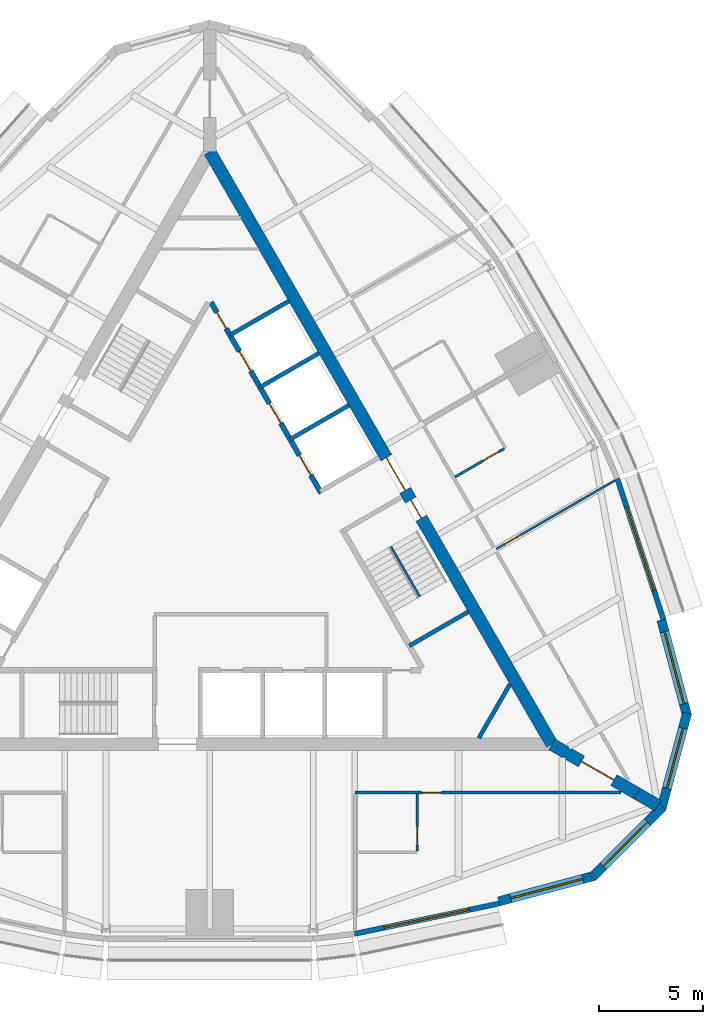
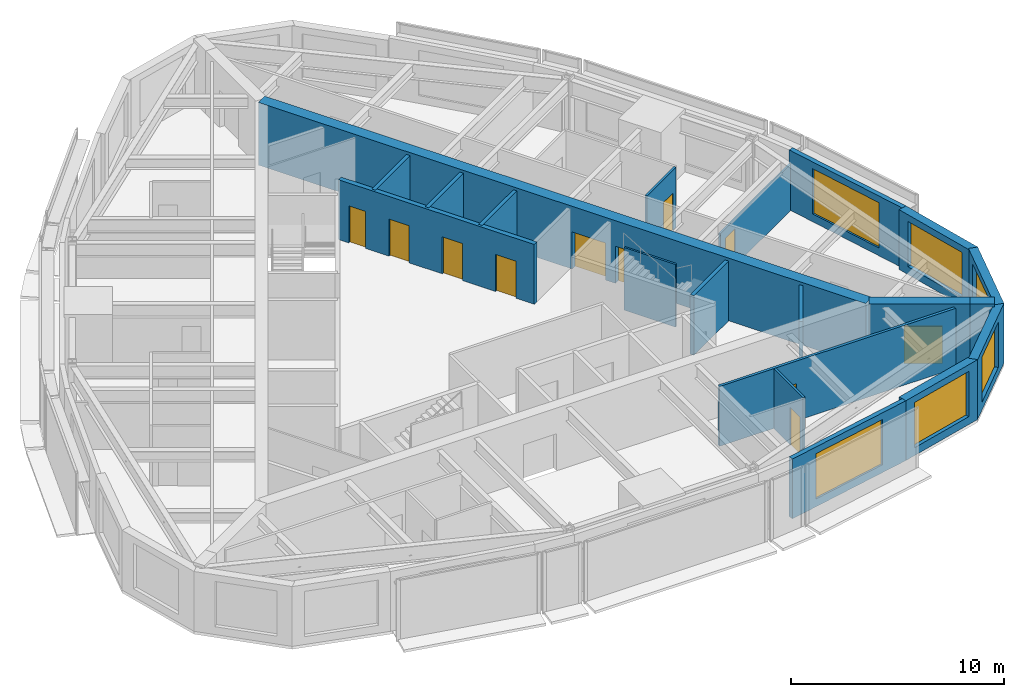
# One storey, part 9 of 12: 20 walls, 11 doors, 6 windows, 17 openings.
"""IFC4 building model written with IfcOpenShell, lengths in metres."""

from ifc_helpers import new_model, si_unit, direction, frame, frame_2d, origin, place, context, subcontext, project, spatial, polyline, rectangle, outline, extrude, material, layer, layer_set, type_object, element, fill, save


model = new_model("IFC4")

# Units and contexts
model_context = context("Model", 3, precision=1e-05, world=origin(), true_north=direction((0.0, 1.0)))
body_context = subcontext(model_context, "Body", "Model", "MODEL_VIEW")
ifc_project = project(units=[si_unit("LENGTHUNIT", "METRE"), si_unit("AREAUNIT", "SQUARE_METRE"), si_unit("VOLUMEUNIT", "CUBIC_METRE"), si_unit("PLANEANGLEUNIT", "RADIAN"), si_unit("MASSUNIT", "GRAM", prefix="KILO")], contexts=[model_context])

# Site, building, storey
site_placement = place(None, origin())
site = spatial("IfcSite", under=ifc_project, at=site_placement, CompositionType="ELEMENT")
building_placement = place(site_placement, origin())
building = spatial("IfcBuilding", under=site, at=building_placement, Name="Trikona Tower", CompositionType="ELEMENT")
storey_placement = place(building_placement, frame((0.0, 0.0, 253.699951171875)))
storey = spatial("IfcBuildingStorey", under=building, at=storey_placement, Name="L67", CompositionType="ELEMENT", Elevation=253.699951171875)

# Wall, opening, door
ifc_material_1 = material(Name="Metal stud and cement board", Category="gypsum")
ifc_layer_1 = layer(ifc_material_1, 0.1201171875)
ifc_layer_set_1 = layer_set([ifc_layer_1], Name="Bathroom wall 120")
wall_type_1 = type_object("IfcWallType", Name="Bathroom wall 120", PredefinedType="PLUMBINGWALL", material=ifc_layer_set_1)
wall_1_placement = place(storey_placement, frame((10.0, -11.92626953125, 0.0), z_axis=(0.0, 0.0, 1.0), x_axis=(0.0, -1.0, 0.0)))
wall_1 = element("IfcWall", 1, at=wall_1_placement, inside=storey, type_object=wall_type_1, Name="Bathroom wall 6702", PredefinedType="PLUMBINGWALL", context=body_context, shape_type="SweptSolid", body=[
    extrude(rectangle(XDim=2.739990234375, YDim=0.1201171875, at=frame_2d((1.3701171875, 0.0))), origin(), (0.0, 0.0, 1.0), 3.43505859375),
])
opening_1_placement = place(wall_1_placement, frame((1.550048828125, 0.0, 0.0)))
opening_1 = element("IfcOpeningElement", 2, at=opening_1_placement, cuts=wall_1, Name="Opening D2", PredefinedType="OPENING", context=body_context, shape_type="SweptSolid", body=[
    extrude(rectangle(XDim=0.89990234375, YDim=2.1298828125, at=frame_2d((0.449951171875, 1.06494140625))), frame((0.0, 0.070068359375, 0.0), z_axis=(0.0, -1.0, 0.0), x_axis=(1.0, 0.0, 0.0)), (0.0, 0.0, 1.0), 0.14013671875),
])
ifc_material_2 = material(Name="Steel door frame with solid-core timber leaf", Category="steel")
door_type_1 = type_object("IfcDoorType", Name="Bathroom door 900x2130", OperationType="SLIDING_TO_LEFT", PredefinedType="DOOR", material=ifc_material_2)
door_1_placement = place(opening_1_placement, origin())
door_1 = element("IfcDoor", 3, at=door_1_placement, inside=storey, type_object=door_type_1, Name="Bathroom door 6702", OperationType="SLIDING_TO_LEFT", OverallHeight=2.1298828125, OverallWidth=0.89990234375, PredefinedType="DOOR", context=body_context, shape_type="SweptSolid", body=[
    extrude(rectangle(XDim=0.89990234375, YDim=2.1298828125, at=frame_2d((0.449951171875, 1.06494140625))), frame((0.0, 0.02490234375, 0.0), z_axis=(0.0, -1.0, 0.0), x_axis=(1.0, 0.0, 0.0)), (0.0, 0.0, 1.0), 0.050048828125),
])
fill(opening_1, door_1)

wall_2_placement = place(storey_placement, frame((11.82861328125, 3.364990234375, 0.0), z_axis=(0.0, 0.0, 1.0), x_axis=(0.865997131366, 0.500048966069, 0.0)))
wall_2 = element("IfcWall", 4, at=wall_2_placement, inside=storey, type_object=wall_type_1, Name="Bathroom wall 6703.1", PredefinedType="PLUMBINGWALL", context=body_context, shape_type="SweptSolid", body=[
    extrude(rectangle(XDim=2.739990234375, YDim=0.1201171875, at=frame_2d((1.3701171875, 0.0))), origin(), (0.0, 0.0, 1.0), 3.43505859375),
])
opening_2_placement = place(wall_2_placement, frame((1.550048828125, 0.0, 0.0)))
opening_2 = element("IfcOpeningElement", 5, at=opening_2_placement, cuts=wall_2, Name="Opening D2", PredefinedType="OPENING", context=body_context, shape_type="SweptSolid", body=[
    extrude(rectangle(XDim=0.89990234375, YDim=2.1298828125, at=frame_2d((0.449951171875, 1.06494140625))), frame((0.0, 0.070068359375, 0.0), z_axis=(0.0, -1.0, 0.0), x_axis=(1.0, 0.0, 0.0)), (0.0, 0.0, 1.0), 0.14013671875),
])
door_2_placement = place(opening_2_placement, origin())
door_2 = element("IfcDoor", 6, at=door_2_placement, inside=storey, type_object=door_type_1, Name="Bathroom door 6703.1", OperationType="SLIDING_TO_LEFT", OverallHeight=2.1298828125, OverallWidth=0.89990234375, PredefinedType="DOOR", context=body_context, shape_type="SweptSolid", body=[
    extrude(rectangle(XDim=0.89990234375, YDim=2.1298828125, at=frame_2d((0.449951171875, 1.06494140625))), frame((0.0, 0.02490234375, 0.0), z_axis=(0.0, -1.0, 0.0), x_axis=(1.0, 0.0, 0.0)), (0.0, 0.0, 1.0), 0.050048828125),
])
fill(opening_2, door_2)

# Wall, opening, window
ifc_material_3 = material(Name="Brick-faced precast concrete", Category="masonry")
ifc_layer_2 = layer(ifc_material_3, 0.449951171875)
ifc_layer_set_2 = layer_set([ifc_layer_2], Name="Brick-faced corner wall 450")
wall_type_2 = type_object("IfcWallType", Name="Brick-faced corner wall 450", PredefinedType="SOLIDWALL", material=ifc_layer_set_2)
wall_3_placement = place(storey_placement, frame((13.94189453125, -17.103271484375, 0.0), z_axis=(0.0, 0.0, 1.0), x_axis=(0.965913862671, 0.258863689806, 0.0)))
wall_3 = element("IfcWall", 7, at=wall_3_placement, inside=storey, type_object=wall_type_2, Name="External wall L67-05", PredefinedType="SOLIDWALL", context=body_context, shape_type="SweptSolid", body=[
    extrude(rectangle(XDim=4.78173828125, YDim=0.449951171875, at=frame_2d((2.390869140625, 0.0))), origin(), (0.0, 0.0, 1.0), 3.43505859375),
])
opening_3_placement = place(wall_3_placement, frame((0.5908203125, 0.0, 0.449951171875)))
opening_3 = element("IfcOpeningElement", 8, at=opening_3_placement, cuts=wall_3, Name="Opening W3626", PredefinedType="OPENING", context=body_context, shape_type="SweptSolid", body=[
    extrude(rectangle(XDim=3.60009765625, YDim=2.60009765625, at=frame_2d((1.800048828125, 1.300048828125))), frame((0.0, 0.23486328125, 0.0), z_axis=(0.0, -1.0, 0.0), x_axis=(1.0, 0.0, 0.0)), (0.0, 0.0, 1.0), 0.469970703125),
])
ifc_material_4 = material(Name="Aluminium-framed double glazing", Category="aluminium")
window_type_1 = type_object("IfcWindowType", Name="Window 3600x2600", PartitioningType="SINGLE_PANEL", PredefinedType="WINDOW", material=ifc_material_4)
window_1_placement = place(opening_3_placement, origin())
window_1 = element("IfcWindow", 9, at=window_1_placement, inside=storey, type_object=window_type_1, Name="Window 6702", OverallHeight=2.60009765625, OverallWidth=3.60009765625, PartitioningType="SINGLE_PANEL", PredefinedType="WINDOW", context=body_context, shape_type="SweptSolid", body=[
    extrude(rectangle(XDim=3.60009765625, YDim=2.60009765625, at=frame_2d((1.800048828125, 1.300048828125))), frame((0.0, 0.030029296875, 0.0), z_axis=(0.0, -1.0, 0.0), x_axis=(1.0, 0.0, 0.0)), (0.0, 0.0, 1.0), 0.06005859375),
])
fill(opening_3, window_1)

wall_4_placement = place(storey_placement, frame((18.459716796875, -15.923828125, 0.0), z_axis=(0.0, 0.0, 1.0), x_axis=(0.707081252484, 0.707132308968, 0.0)))
wall_4 = element("IfcWall", 10, at=wall_4_placement, inside=storey, type_object=wall_type_2, Name="External wall L67-06", PredefinedType="SOLIDWALL", context=body_context, shape_type="SweptSolid", body=[
    extrude(outline(polyline([(4.78173828125, 0.22509765625), (4.722900390625, 0.22509765625), (4.37548828125, 0.1318359375), (4.3505859375, 0.22509765625), (0.0, 0.22509765625), (0.0, -0.22509765625), (4.78173828125, -0.22509765625), (4.78173828125, 0.22509765625)])), origin(), (0.0, 0.0, 1.0), 3.43505859375),
])
opening_4_placement = place(wall_4_placement, frame((0.750244140625, 0.0, 0.449951171875)))
opening_4 = element("IfcOpeningElement", 11, at=opening_4_placement, cuts=wall_4, Name="Opening W3026", PredefinedType="OPENING", context=body_context, shape_type="SweptSolid", body=[
    extrude(rectangle(XDim=3.0, YDim=2.60009765625, at=frame_2d((1.5, 1.300048828125))), frame((0.0, 0.23486328125, 0.0), z_axis=(0.0, -1.0, 0.0), x_axis=(1.0, 0.0, 0.0)), (0.0, 0.0, 1.0), 0.469970703125),
])
ifc_material_5 = material(Name="Aluminium-framed double glazing", Category="aluminium")
window_type_2 = type_object("IfcWindowType", Name="Window 3000x2600", PartitioningType="SINGLE_PANEL", PredefinedType="WINDOW", material=ifc_material_5)
window_2_placement = place(opening_4_placement, origin())
window_2 = element("IfcWindow", 12, at=window_2_placement, inside=storey, type_object=window_type_2, Name="Window 6702", OverallHeight=2.60009765625, OverallWidth=3.0, PartitioningType="SINGLE_PANEL", PredefinedType="WINDOW", context=body_context, shape_type="SweptSolid", body=[
    extrude(rectangle(XDim=3.0, YDim=2.60009765625, at=frame_2d((1.5, 1.300048828125))), frame((0.0, 0.030029296875, 0.0), z_axis=(0.0, -1.0, 0.0), x_axis=(1.0, 0.0, 0.0)), (0.0, 0.0, 1.0), 0.06005859375),
])
fill(opening_4, window_2)

wall_5_placement = place(storey_placement, frame((21.78271484375, -12.6435546875, 0.0), z_axis=(0.0, 0.0, 1.0), x_axis=(0.25880328844, 0.965930048136, 0.0)))
wall_5 = element("IfcWall", 13, at=wall_5_placement, inside=storey, type_object=wall_type_2, Name="External wall L67-07", PredefinedType="SOLIDWALL", context=body_context, shape_type="SweptSolid", body=[
    extrude(outline(polyline([(4.78173828125, 0.22509765625), (0.43115234375, 0.22509765625), (0.40625, 0.132080078125), (0.0595703125, 0.22509765625), (0.0, 0.22509765625), (0.0, -0.22509765625), (4.78173828125, -0.22509765625), (4.78173828125, 0.22509765625)])), origin(), (0.0, 0.0, 1.0), 3.43505859375),
])
opening_5_placement = place(wall_5_placement, frame((1.031494140625, 0.0, 0.449951171875)))
opening_5 = element("IfcOpeningElement", 14, at=opening_5_placement, cuts=wall_5, Name="Opening W3026", PredefinedType="OPENING", context=body_context, shape_type="SweptSolid", body=[
    extrude(rectangle(XDim=3.0, YDim=2.60009765625, at=frame_2d((1.5, 1.300048828125))), frame((0.0, 0.23486328125, 0.0), z_axis=(0.0, -1.0, 0.0), x_axis=(1.0, 0.0, 0.0)), (0.0, 0.0, 1.0), 0.469970703125),
])
window_3_placement = place(opening_5_placement, origin())
window_3 = element("IfcWindow", 15, at=window_3_placement, inside=storey, type_object=window_type_2, Name="Window 6703", OverallHeight=2.60009765625, OverallWidth=3.0, PartitioningType="SINGLE_PANEL", PredefinedType="WINDOW", context=body_context, shape_type="SweptSolid", body=[
    extrude(rectangle(XDim=3.0, YDim=2.60009765625, at=frame_2d((1.5, 1.300048828125))), frame((0.0, 0.030029296875, 0.0), z_axis=(0.0, -1.0, 0.0), x_axis=(1.0, 0.0, 0.0)), (0.0, 0.0, 1.0), 0.06005859375),
])
fill(opening_5, window_3)

wall_6_placement = place(storey_placement, frame((23.020263671875, -8.14111328125, 0.0), z_axis=(0.0, 0.0, 1.0), x_axis=(-0.25880328844, 0.965930048136, 0.0)))
wall_6 = element("IfcWall", 16, at=wall_6_placement, inside=storey, type_object=wall_type_2, Name="External wall L67-08", PredefinedType="SOLIDWALL", context=body_context, shape_type="SweptSolid", body=[
    extrude(rectangle(XDim=4.78173828125, YDim=0.449951171875, at=frame_2d((2.390869140625, 0.0))), origin(), (0.0, 0.0, 1.0), 3.43505859375),
])
opening_6_placement = place(wall_6_placement, frame((0.5908203125, 0.0, 0.449951171875)))
opening_6 = element("IfcOpeningElement", 17, at=opening_6_placement, cuts=wall_6, Name="Opening W3626", PredefinedType="OPENING", context=body_context, shape_type="SweptSolid", body=[
    extrude(rectangle(XDim=3.60009765625, YDim=2.60009765625, at=frame_2d((1.800048828125, 1.300048828125))), frame((0.0, 0.23486328125, 0.0), z_axis=(0.0, -1.0, 0.0), x_axis=(1.0, 0.0, 0.0)), (0.0, 0.0, 1.0), 0.469970703125),
])
window_4_placement = place(opening_6_placement, origin())
window_4 = element("IfcWindow", 18, at=window_4_placement, inside=storey, type_object=window_type_1, Name="Window 6703", OverallHeight=2.60009765625, OverallWidth=3.60009765625, PartitioningType="SINGLE_PANEL", PredefinedType="WINDOW", context=body_context, shape_type="SweptSolid", body=[
    extrude(rectangle(XDim=3.60009765625, YDim=2.60009765625, at=frame_2d((1.800048828125, 1.300048828125))), frame((0.0, 0.030029296875, 0.0), z_axis=(0.0, -1.0, 0.0), x_axis=(1.0, 0.0, 0.0)), (0.0, 0.0, 1.0), 0.06005859375),
])
fill(opening_6, window_4)

# Wall, opening, door
ifc_material_6 = material(Name="Concrete f'c 10000 psi", Category="concrete")
ifc_layer_3 = layer(ifc_material_6, 0.60009765625)
ifc_layer_set_3 = layer_set([ifc_layer_3], Name="Buttress wall 600")
wall_type_3 = type_object("IfcWallType", Name="Buttress wall 600", PredefinedType="SHEAR", material=ifc_layer_set_3)
wall_7_placement = place(storey_placement, frame((16.5, -9.5263671875, 0.0), z_axis=(0.0, 0.0, 1.0), x_axis=(0.866031398331, -0.499989616998, 0.0)))
wall_7 = element("IfcWall", 19, at=wall_7_placement, inside=storey, type_object=wall_type_3, Name="Buttress wall 1", PredefinedType="SHEAR", context=body_context, shape_type="SweptSolid", body=[
    extrude(rectangle(XDim=4.74609375, YDim=0.60009765625, at=frame_2d((2.373046875, 0.0))), origin(), (0.0, 0.0, 1.0), 3.60009765625),
])
opening_7_placement = place(wall_7_placement, frame((1.64990234375, 0.0, 0.0)))
opening_7 = element("IfcOpeningElement", 20, at=opening_7_placement, cuts=wall_7, Name="Opening D10", PredefinedType="OPENING", context=body_context, shape_type="SweptSolid", body=[
    extrude(rectangle(XDim=1.800048828125, YDim=2.1298828125, at=frame_2d((0.89990234375, 1.06494140625))), frame((0.0, 0.31005859375, 0.0), z_axis=(0.0, -1.0, 0.0), x_axis=(1.0, 0.0, 0.0)), (0.0, 0.0, 1.0), 0.6201171875),
])
ifc_material_7 = material(Name="Hollow metal door and frame", Category="steel")
door_type_2 = type_object("IfcDoorType", Name="Cross-corridor door pair 1800x2130", OperationType="DOUBLE_DOOR_DOUBLE_SWING", PredefinedType="DOOR", material=ifc_material_7)
door_3_placement = place(opening_7_placement, origin())
door_3 = element("IfcDoor", 21, at=door_3_placement, inside=storey, type_object=door_type_2, Name="Cross-corridor door 1", OperationType="DOUBLE_DOOR_DOUBLE_SWING", OverallHeight=2.1298828125, OverallWidth=1.800048828125, PredefinedType="DOOR", context=body_context, shape_type="SweptSolid", body=[
    extrude(rectangle(XDim=1.800048828125, YDim=2.1298828125, at=frame_2d((0.89990234375, 1.06494140625))), frame((0.0, 0.02490234375, 0.0), z_axis=(0.0, -1.0, 0.0), x_axis=(1.0, 0.0, 0.0)), (0.0, 0.0, 1.0), 0.050048828125),
])
fill(opening_7, door_3)

# Wall
wall_8_placement = place(storey_placement, frame((20.6103515625, -11.8994140625, 0.0), z_axis=(0.0, 0.0, 1.0), x_axis=(0.866009537788, -0.500027479704, 0.0)))
element("IfcWall", 22, at=wall_8_placement, inside=storey, type_object=wall_type_3, Name="Buttress wall 1 part 2", PredefinedType="SHEAR", context=body_context, shape_type="SweptSolid", body=[
    extrude(rectangle(XDim=1.15478515625, YDim=0.60009765625, at=frame_2d((0.577392578125, 0.0))), origin(), (0.0, 0.0, 1.0), 3.60009765625),
])

# Wall, openings, doors
ifc_material_8 = material(Name="Concrete f'c 10000 psi", Category="concrete")
ifc_layer_4 = layer(ifc_material_8, 0.60009765625)
ifc_layer_set_4 = layer_set([ifc_layer_4], Name="Core wall 600")
wall_type_4 = type_object("IfcWallType", Name="Core wall 600", PredefinedType="SHEAR", material=ifc_layer_set_4)
wall_9_placement = place(storey_placement, frame((16.5, -9.5263671875, 0.0), z_axis=(0.0, 0.0, 1.0), x_axis=(-0.499999749417, 0.866025548458, 0.0)))
wall_9 = element("IfcWall", 23, at=wall_9_placement, inside=storey, type_object=wall_type_4, Name="Core wall B", PredefinedType="SHEAR", context=body_context, shape_type="SweptSolid", body=[
    extrude(rectangle(XDim=33.0, YDim=0.60009765625, at=frame_2d((16.5, 0.0))), origin(), (0.0, 0.0, 1.0), 3.60009765625),
])
opening_8_placement = place(wall_9_placement, frame((14.14990234375, 0.0, 0.0)))
opening_8 = element("IfcOpeningElement", 24, at=opening_8_placement, cuts=wall_9, Name="Opening D6", PredefinedType="OPENING", context=body_context, shape_type="SweptSolid", body=[
    extrude(rectangle(XDim=1.800048828125, YDim=2.1298828125, at=frame_2d((0.89990234375, 1.06494140625))), frame((0.0, 0.31005859375, 0.0), z_axis=(0.0, -1.0, 0.0), x_axis=(1.0, 0.0, 0.0)), (0.0, 0.0, 1.0), 0.6201171875),
])
opening_9_placement = place(wall_9_placement, frame((12.60009765625, 0.0, 0.0)))
opening_9 = element("IfcOpeningElement", 25, at=opening_9_placement, cuts=wall_9, Name="Opening D5", PredefinedType="OPENING", context=body_context, shape_type="SweptSolid", body=[
    extrude(rectangle(XDim=1.0, YDim=2.1298828125, at=frame_2d((0.5, 1.06494140625))), frame((0.0, 0.31005859375, 0.0), z_axis=(0.0, -1.0, 0.0), x_axis=(1.0, 0.0, 0.0)), (0.0, 0.0, 1.0), 0.6201171875),
])
ifc_material_9 = material(Name="Hollow metal door and frame", Category="steel")
door_type_3 = type_object("IfcDoorType", Name="Lobby door pair 1800x2130", OperationType="DOUBLE_DOOR_SINGLE_SWING", PredefinedType="DOOR", material=ifc_material_9)
door_4_placement = place(opening_8_placement, origin())
door_4 = element("IfcDoor", 26, at=door_4_placement, inside=storey, type_object=door_type_3, Name="Lift lobby door B", OperationType="DOUBLE_DOOR_SINGLE_SWING", OverallHeight=2.1298828125, OverallWidth=1.800048828125, PredefinedType="DOOR", context=body_context, shape_type="SweptSolid", body=[
    extrude(rectangle(XDim=1.800048828125, YDim=2.1298828125, at=frame_2d((0.89990234375, 1.06494140625))), frame((0.0, 0.02490234375, 0.0), z_axis=(0.0, -1.0, 0.0), x_axis=(1.0, 0.0, 0.0)), (0.0, 0.0, 1.0), 0.050048828125),
])
fill(opening_8, door_4)
ifc_material_10 = material(Name="Hollow metal door and frame", Category="steel")
door_type_4 = type_object("IfcDoorType", Name="Stair door 1000x2130", OperationType="SINGLE_SWING_LEFT", PredefinedType="DOOR", material=ifc_material_10)
door_5_placement = place(opening_9_placement, origin())
door_5 = element("IfcDoor", 27, at=door_5_placement, inside=storey, type_object=door_type_4, Name="Stair B door", OperationType="SINGLE_SWING_RIGHT", OverallHeight=2.1298828125, OverallWidth=1.0, PredefinedType="DOOR", context=body_context, shape_type="SweptSolid", body=[
    extrude(rectangle(XDim=1.0, YDim=2.1298828125, at=frame_2d((0.5, 1.06494140625))), frame((0.0, 0.02490234375, 0.0), z_axis=(0.0, -1.0, 0.0), x_axis=(1.0, 0.0, 0.0)), (0.0, 0.0, 1.0), 0.050048828125),
])
fill(opening_9, door_5)

# Wall, opening, door
ifc_material_11 = material(Name="Metal stud and gypsum board, 1-hour", Category="gypsum")
ifc_layer_5 = layer(ifc_material_11, 0.14990234375)
ifc_layer_set_5 = layer_set([ifc_layer_5], Name="Corridor wall 150")
wall_type_5 = type_object("IfcWallType", Name="Corridor wall 150", PredefinedType="PARTITIONING", material=ifc_layer_set_5)
wall_10_placement = place(storey_placement, frame((7.0, -11.851318359375, 0.0), z_axis=(0.0, 0.0, 1.0), x_axis=(1.0, 0.0, 0.0)))
wall_10 = element("IfcWall", 28, at=wall_10_placement, inside=storey, type_object=wall_type_5, Name="Corridor wall L67-1B", PredefinedType="PARTITIONING", context=body_context, shape_type="SweptSolid", body=[
    extrude(rectangle(XDim=12.826904296875, YDim=0.14990234375, at=frame_2d((6.41357421875, 0.0))), origin(), (0.0, 0.0, 1.0), 3.43505859375),
])
opening_10_placement = place(wall_10_placement, frame((3.22509765625, 0.0, 0.0)))
opening_10 = element("IfcOpeningElement", 29, at=opening_10_placement, cuts=wall_10, Name="Opening D1", PredefinedType="OPENING", context=body_context, shape_type="SweptSolid", body=[
    extrude(rectangle(XDim=0.949951171875, YDim=2.1298828125, at=frame_2d((0.47509765625, 1.06494140625))), frame((0.0, 0.0849609375, 0.0), z_axis=(0.0, -1.0, 0.0), x_axis=(1.0, 0.0, 0.0)), (0.0, 0.0, 1.0), 0.169921875),
])
ifc_material_12 = material(Name="Steel door frame with solid-core timber leaf", Category="steel")
door_type_5 = type_object("IfcDoorType", Name="Guest room door 950x2130", OperationType="SINGLE_SWING_LEFT", PredefinedType="DOOR", material=ifc_material_12)
door_6_placement = place(opening_10_placement, origin())
door_6 = element("IfcDoor", 30, at=door_6_placement, inside=storey, type_object=door_type_5, Name="Room door 6702", OperationType="SINGLE_SWING_LEFT", OverallHeight=2.1298828125, OverallWidth=0.949951171875, PredefinedType="DOOR", context=body_context, shape_type="SweptSolid", body=[
    extrude(rectangle(XDim=0.949951171875, YDim=2.1298828125, at=frame_2d((0.47509765625, 1.06494140625))), frame((0.0, 0.02490234375, 0.0), z_axis=(0.0, -1.0, 0.0), x_axis=(1.0, 0.0, 0.0)), (0.0, 0.0, 1.0), 0.050048828125),
])
fill(opening_10, door_6)

# Wall, openings, doors
ifc_material_13 = material(Name="Concrete f'c 8000 psi", Category="concrete")
ifc_layer_6 = layer(ifc_material_13, 0.25)
ifc_layer_set_6 = layer_set([ifc_layer_6], Name="Hub wall 250")
wall_type_6 = type_object("IfcWallType", Name="Hub wall 250", PredefinedType="SOLIDWALL", material=ifc_layer_set_6)
wall_11_placement = place(storey_placement, frame((5.37890625, 2.5859375, 0.0), z_axis=(0.0, 0.0, 1.0), x_axis=(-0.500001375892, 0.866024609411, 0.0)))
wall_11 = element("IfcWall", 31, at=wall_11_placement, inside=storey, type_object=wall_type_6, Name="Lift lobby wall B2", PredefinedType="SOLIDWALL", context=body_context, shape_type="SweptSolid", body=[
    extrude(rectangle(XDim=10.6328125, YDim=0.25, at=frame_2d((5.31640625, 0.0))), origin(), (0.0, 0.0, 1.0), 3.43505859375),
])
opening_11_placement = place(wall_11_placement, frame((9.1640625, 0.0, 0.0)))
opening_11 = element("IfcOpeningElement", 32, at=opening_11_placement, cuts=wall_11, Name="Opening D14", PredefinedType="OPENING", context=body_context, shape_type="SweptSolid", body=[
    extrude(rectangle(XDim=0.89990234375, YDim=2.1298828125, at=frame_2d((0.449951171875, 1.06494140625))), frame((0.0, 0.135009765625, 0.0), z_axis=(0.0, -1.0, 0.0), x_axis=(1.0, 0.0, 0.0)), (0.0, 0.0, 1.0), 0.27001953125),
])
opening_12_placement = place(wall_11_placement, frame((1.0, 0.0, 0.0)))
opening_12 = element("IfcOpeningElement", 33, at=opening_12_placement, cuts=wall_11, Name="Opening LD", PredefinedType="OPENING", context=body_context, shape_type="SweptSolid", body=[
    extrude(rectangle(XDim=1.10009765625, YDim=2.1298828125, at=frame_2d((0.550048828125, 1.06494140625))), frame((0.0, 0.135009765625, 0.0), z_axis=(0.0, -1.0, 0.0), x_axis=(1.0, 0.0, 0.0)), (0.0, 0.0, 1.0), 0.27001953125),
])
opening_13_placement = place(wall_11_placement, frame((3.89990234375, 0.0, 0.0)))
opening_13 = element("IfcOpeningElement", 34, at=opening_13_placement, cuts=wall_11, Name="Opening LD", PredefinedType="OPENING", context=body_context, shape_type="SweptSolid", body=[
    extrude(rectangle(XDim=1.10009765625, YDim=2.1298828125, at=frame_2d((0.550048828125, 1.06494140625))), frame((0.0, 0.135009765625, 0.0), z_axis=(0.0, -1.0, 0.0), x_axis=(1.0, 0.0, 0.0)), (0.0, 0.0, 1.0), 0.27001953125),
])
opening_14_placement = place(wall_11_placement, frame((6.800048828125, 0.0, 0.0)))
opening_14 = element("IfcOpeningElement", 35, at=opening_14_placement, cuts=wall_11, Name="Opening LD", PredefinedType="OPENING", context=body_context, shape_type="SweptSolid", body=[
    extrude(rectangle(XDim=1.10009765625, YDim=2.1298828125, at=frame_2d((0.550048828125, 1.06494140625))), frame((0.0, 0.135009765625, 0.0), z_axis=(0.0, -1.0, 0.0), x_axis=(1.0, 0.0, 0.0)), (0.0, 0.0, 1.0), 0.27001953125),
])
ifc_material_14 = material(Name="Stainless steel lift landing door", Category="steel")
door_type_6 = type_object("IfcDoorType", Name="Lift landing door 1100x2130", OperationType="DOUBLE_DOOR_SLIDING", PredefinedType="USERDEFINED", material=ifc_material_14)
door_7_placement = place(opening_12_placement, origin())
door_7 = element("IfcDoor", 36, at=door_7_placement, inside=storey, type_object=door_type_6, Name="Lift landing door L3-1", ObjectType="LIFT LANDING DOOR", OperationType="DOUBLE_DOOR_SLIDING", OverallHeight=2.1298828125, OverallWidth=1.10009765625, PredefinedType="USERDEFINED", context=body_context, shape_type="SweptSolid", body=[
    extrude(rectangle(XDim=1.10009765625, YDim=2.1298828125, at=frame_2d((0.550048828125, 1.06494140625))), frame((0.0, 0.02490234375, 0.0), z_axis=(0.0, -1.0, 0.0), x_axis=(1.0, 0.0, 0.0)), (0.0, 0.0, 1.0), 0.050048828125),
])
fill(opening_12, door_7)
door_8_placement = place(opening_13_placement, origin())
door_8 = element("IfcDoor", 37, at=door_8_placement, inside=storey, type_object=door_type_6, Name="Lift landing door L3-2", ObjectType="LIFT LANDING DOOR", OperationType="DOUBLE_DOOR_SLIDING", OverallHeight=2.1298828125, OverallWidth=1.10009765625, PredefinedType="USERDEFINED", context=body_context, shape_type="SweptSolid", body=[
    extrude(rectangle(XDim=1.10009765625, YDim=2.1298828125, at=frame_2d((0.550048828125, 1.06494140625))), frame((0.0, 0.02490234375, 0.0), z_axis=(0.0, -1.0, 0.0), x_axis=(1.0, 0.0, 0.0)), (0.0, 0.0, 1.0), 0.050048828125),
])
fill(opening_13, door_8)
door_9_placement = place(opening_14_placement, origin())
door_9 = element("IfcDoor", 38, at=door_9_placement, inside=storey, type_object=door_type_6, Name="Lift landing door L3-3", ObjectType="LIFT LANDING DOOR", OperationType="DOUBLE_DOOR_SLIDING", OverallHeight=2.1298828125, OverallWidth=1.10009765625, PredefinedType="USERDEFINED", context=body_context, shape_type="SweptSolid", body=[
    extrude(rectangle(XDim=1.10009765625, YDim=2.1298828125, at=frame_2d((0.550048828125, 1.06494140625))), frame((0.0, 0.02490234375, 0.0), z_axis=(0.0, -1.0, 0.0), x_axis=(1.0, 0.0, 0.0)), (0.0, 0.0, 1.0), 0.050048828125),
])
fill(opening_14, door_9)
ifc_material_15 = material(Name="Hollow metal door and frame", Category="steel")
door_type_7 = type_object("IfcDoorType", Name="Service room door 900x2130", OperationType="SINGLE_SWING_LEFT", PredefinedType="DOOR", material=ifc_material_15)
door_10_placement = place(opening_11_placement, origin())
door_10 = element("IfcDoor", 39, at=door_10_placement, inside=storey, type_object=door_type_7, Name="Door Linen store LIN", OperationType="SINGLE_SWING_RIGHT", OverallHeight=2.1298828125, OverallWidth=0.89990234375, PredefinedType="DOOR", context=body_context, shape_type="SweptSolid", body=[
    extrude(rectangle(XDim=0.89990234375, YDim=2.1298828125, at=frame_2d((0.449951171875, 1.06494140625))), frame((0.0, 0.02490234375, 0.0), z_axis=(0.0, -1.0, 0.0), x_axis=(1.0, 0.0, 0.0)), (0.0, 0.0, 1.0), 0.050048828125),
])
fill(opening_11, door_10)

# Wall, opening, window
ifc_material_16 = material(Name="Insulated precast concrete spandrel panel", Category="concrete")
ifc_layer_7 = layer(ifc_material_16, 0.25)
ifc_layer_set_7 = layer_set([ifc_layer_7], Name="Inner skin wall 250")
wall_type_7 = type_object("IfcWallType", Name="Inner skin wall 250", PredefinedType="STANDARD", material=ifc_layer_set_7)
wall_12_placement = place(storey_placement, frame((6.974365234375, -18.668212890625, 0.0), z_axis=(0.0, 0.0, 1.0), x_axis=(0.978654320409, 0.205513311355, 0.0)))
wall_12 = element("IfcWall", 40, at=wall_12_placement, inside=storey, type_object=wall_type_7, Name="External wall L67-04", PredefinedType="STANDARD", context=body_context, shape_type="SweptSolid", body=[
    extrude(rectangle(XDim=7.152587890625, YDim=0.25, at=frame_2d((3.576171875, 0.0))), origin(), (0.0, 0.0, 1.0), 3.43505859375),
])
opening_15_placement = place(wall_12_placement, frame((1.476318359375, 0.0, 0.449951171875)))
opening_15 = element("IfcOpeningElement", 41, at=opening_15_placement, cuts=wall_12, Name="Opening W4226", PredefinedType="OPENING", context=body_context, shape_type="SweptSolid", body=[
    extrude(rectangle(XDim=4.199951171875, YDim=2.60009765625, at=frame_2d((2.10009765625, 1.300048828125))), frame((0.0, 0.135009765625, 0.0), z_axis=(0.0, -1.0, 0.0), x_axis=(1.0, 0.0, 0.0)), (0.0, 0.0, 1.0), 0.27001953125),
])
ifc_material_17 = material(Name="Aluminium-framed double glazing", Category="aluminium")
window_type_3 = type_object("IfcWindowType", Name="Window 4200x2600", PartitioningType="SINGLE_PANEL", PredefinedType="WINDOW", material=ifc_material_17)
window_5_placement = place(opening_15_placement, origin())
window_5 = element("IfcWindow", 42, at=window_5_placement, inside=storey, type_object=window_type_3, Name="Window 6702", OverallHeight=2.60009765625, OverallWidth=4.199951171875, PartitioningType="SINGLE_PANEL", PredefinedType="WINDOW", context=body_context, shape_type="SweptSolid", body=[
    extrude(rectangle(XDim=4.199951171875, YDim=2.60009765625, at=frame_2d((2.10009765625, 1.300048828125))), frame((0.0, 0.030029296875, 0.0), z_axis=(0.0, -1.0, 0.0), x_axis=(1.0, 0.0, 0.0)), (0.0, 0.0, 1.0), 0.06005859375),
])
fill(opening_15, window_5)

wall_13_placement = place(storey_placement, frame((21.881103515625, -3.5029296875, 0.0), z_axis=(0.0, 0.0, 1.0), x_axis=(-0.311328857048, 0.95030223759, 0.0)))
wall_13 = element("IfcWall", 43, at=wall_13_placement, inside=storey, type_object=wall_type_7, Name="External wall L67-09", PredefinedType="STANDARD", context=body_context, shape_type="SweptSolid", body=[
    extrude(rectangle(XDim=7.152587890625, YDim=0.25, at=frame_2d((3.576171875, 0.0))), origin(), (0.0, 0.0, 1.0), 3.43505859375),
])
opening_16_placement = place(wall_13_placement, frame((1.476318359375, 0.0, 0.449951171875)))
opening_16 = element("IfcOpeningElement", 44, at=opening_16_placement, cuts=wall_13, Name="Opening W4226", PredefinedType="OPENING", context=body_context, shape_type="SweptSolid", body=[
    extrude(rectangle(XDim=4.199951171875, YDim=2.60009765625, at=frame_2d((2.10009765625, 1.300048828125))), frame((0.0, 0.135009765625, 0.0), z_axis=(0.0, -1.0, 0.0), x_axis=(1.0, 0.0, 0.0)), (0.0, 0.0, 1.0), 0.27001953125),
])
window_6_placement = place(opening_16_placement, origin())
window_6 = element("IfcWindow", 45, at=window_6_placement, inside=storey, type_object=window_type_3, Name="Window 6703", OverallHeight=2.60009765625, OverallWidth=4.199951171875, PartitioningType="SINGLE_PANEL", PredefinedType="WINDOW", context=body_context, shape_type="SweptSolid", body=[
    extrude(rectangle(XDim=4.199951171875, YDim=2.60009765625, at=frame_2d((2.10009765625, 1.300048828125))), frame((0.0, 0.030029296875, 0.0), z_axis=(0.0, -1.0, 0.0), x_axis=(1.0, 0.0, 0.0)), (0.0, 0.0, 1.0), 0.06005859375),
])
fill(opening_16, window_6)

# Walls
ifc_material_18 = material(Name="Concrete f'c 8000 psi", Category="concrete")
ifc_layer_8 = layer(ifc_material_18, 0.199951171875)
ifc_layer_set_8 = layer_set([ifc_layer_8], Name="Shaft wall 200")
wall_type_8 = type_object("IfcWallType", Name="Shaft wall 200", PredefinedType="SOLIDWALL", material=ifc_layer_set_8)
for number, where, z_axis, x_axis, name in (
    (46, (3.87890625, 5.18408203125, 0.0), (0.0, 0.0, 1.0), (0.866027924134, 0.499995634601, 0.0), "Shaft wall B4"),
    (47, (2.428955078125, 7.695556640625, 0.0), (0.0, 0.0, 1.0), (0.866027924134, 0.499995634601, 0.0), "Shaft wall B5"),
    (48, (0.97900390625, 10.20703125, 0.0), (0.0, 0.0, 1.0), (0.866027924134, 0.499995634601, 0.0), "Shaft wall B6"),
):
    element("IfcWall", number, at=place(storey_placement, frame(where, z_axis=z_axis, x_axis=x_axis)), inside=storey, type_object=wall_type_8, Name=name, PredefinedType="SOLIDWALL", context=body_context, shape_type="SweptSolid", body=[
        extrude(rectangle(XDim=3.27490234375, YDim=0.199951171875, at=frame_2d((1.637451171875, 0.0))), origin(), (0.0, 0.0, 1.0), 3.43505859375),
    ])
wall_14_placement = place(storey_placement, frame((14.479248046875, -6.626220703125, 0.0), z_axis=(0.0, 0.0, 1.0), x_axis=(-0.499952404951, -0.866052881055, 0.0)))
element("IfcWall", 49, at=wall_14_placement, inside=storey, type_object=wall_type_8, Name="Riser wall L67-RS1", PredefinedType="SOLIDWALL", context=body_context, shape_type="SweptSolid", body=[
    extrude(rectangle(XDim=3.002197265625, YDim=0.199951171875, at=frame_2d((1.5009765625, 0.0))), origin(), (0.0, 0.0, 1.0), 3.43505859375),
])
ifc_material_19 = material(Name="Concrete f'c 8000 psi", Category="concrete")
ifc_layer_9 = layer(ifc_material_19, 0.199951171875)
ifc_layer_set_9 = layer_set([ifc_layer_9], Name="Shaft wall 200 load-bearing")
wall_type_9 = type_object("IfcWallType", Name="Shaft wall 200 load-bearing", PredefinedType="SOLIDWALL", material=ifc_layer_set_9)
wall_15_placement = place(storey_placement, frame((9.62890625, -4.775390625, 0.0), z_axis=(0.0, 0.0, 1.0), x_axis=(0.865995643347, 0.500051543047, 0.0)))
element("IfcWall", 50, at=wall_15_placement, inside=storey, type_object=wall_type_9, Name="Shaft wall B1", PredefinedType="SOLIDWALL", context=body_context, shape_type="SweptSolid", body=[
    extrude(rectangle(XDim=3.275146484375, YDim=0.199951171875, at=frame_2d((1.6376953125, 0.0))), origin(), (0.0, 0.0, 1.0), 3.43505859375),
])
ifc_material_20 = material(Name="Concrete f'c 5000 psi", Category="concrete")
ifc_layer_10 = layer(ifc_material_20, 0.10009765625)
ifc_layer_set_10 = layer_set([ifc_layer_10], Name="Stair spine wall 100")
wall_type_10 = type_object("IfcWallType", Name="Stair spine wall 100", PredefinedType="SOLIDWALL", material=ifc_layer_set_10)
wall_16_placement = place(storey_placement, frame((10.134765625, -2.4013671875, 0.0), z_axis=(0.0, 0.0, 1.0), x_axis=(-0.499992232847, 0.866029888106, 0.0)))
element("IfcWall", 51, at=wall_16_placement, inside=storey, type_object=wall_type_10, Name="Stair B spine wall L67", PredefinedType="SOLIDWALL", context=body_context, shape_type="SweptSolid", body=[
    extrude(rectangle(XDim=2.7939453125, YDim=0.10009765625, at=frame_2d((1.39697265625, 0.0))), origin(), (0.0, 0.0, 1.0), 3.60009765625),
])

# Wall, opening, door
ifc_material_21 = material(Name="Metal stud and gypsum board, acoustic", Category="gypsum")
ifc_layer_11 = layer(ifc_material_21, 0.10009765625)
ifc_layer_set_11 = layer_set([ifc_layer_11], Name="Suite partition 100")
wall_type_11 = type_object("IfcWallType", Name="Suite partition 100", PredefinedType="PARTITIONING", material=ifc_layer_set_11)
wall_17_placement = place(storey_placement, frame((13.82861328125, -0.09912109375, 0.0), z_axis=(0.0, 0.0, 1.0), x_axis=(0.866022562216, 0.500004921708, 0.0)))
wall_17 = element("IfcWall", 52, at=wall_17_placement, inside=storey, type_object=wall_type_11, Name="Suite partition L67 F2 u-7", PredefinedType="PARTITIONING", context=body_context, shape_type="SweptSolid", body=[
    extrude(rectangle(XDim=6.60888671875, YDim=0.10009765625, at=frame_2d((3.304443359375, 0.0))), origin(), (0.0, 0.0, 1.0), 2.677978515625),
])
opening_17_placement = place(wall_17_placement, frame((0.449951171875, 0.0, 0.0)))
opening_17 = element("IfcOpeningElement", 53, at=opening_17_placement, cuts=wall_17, Name="Opening D13", PredefinedType="OPENING", context=body_context, shape_type="SweptSolid", body=[
    extrude(rectangle(XDim=0.89990234375, YDim=2.1298828125, at=frame_2d((0.449951171875, 1.06494140625))), frame((0.0, 0.06005859375, 0.0), z_axis=(0.0, -1.0, 0.0), x_axis=(1.0, 0.0, 0.0)), (0.0, 0.0, 1.0), 0.1201171875),
])
ifc_material_22 = material(Name="Steel door frame with solid-core timber leaf", Category="steel")
door_type_8 = type_object("IfcDoorType", Name="Suite door 900x2130", OperationType="SINGLE_SWING_LEFT", PredefinedType="DOOR", material=ifc_material_22)
door_11_placement = place(opening_17_placement, origin())
door_11 = element("IfcDoor", 54, at=door_11_placement, inside=storey, type_object=door_type_8, Name="Suite door 6703", OperationType="SINGLE_SWING_LEFT", OverallHeight=2.1298828125, OverallWidth=0.89990234375, PredefinedType="DOOR", context=body_context, shape_type="SweptSolid", body=[
    extrude(rectangle(XDim=0.89990234375, YDim=2.1298828125, at=frame_2d((0.449951171875, 1.06494140625))), frame((0.0, 0.02490234375, 0.0), z_axis=(0.0, -1.0, 0.0), x_axis=(1.0, 0.0, 0.0)), (0.0, 0.0, 1.0), 0.050048828125),
])
fill(opening_17, door_11)

save(model, "model.ifc")
